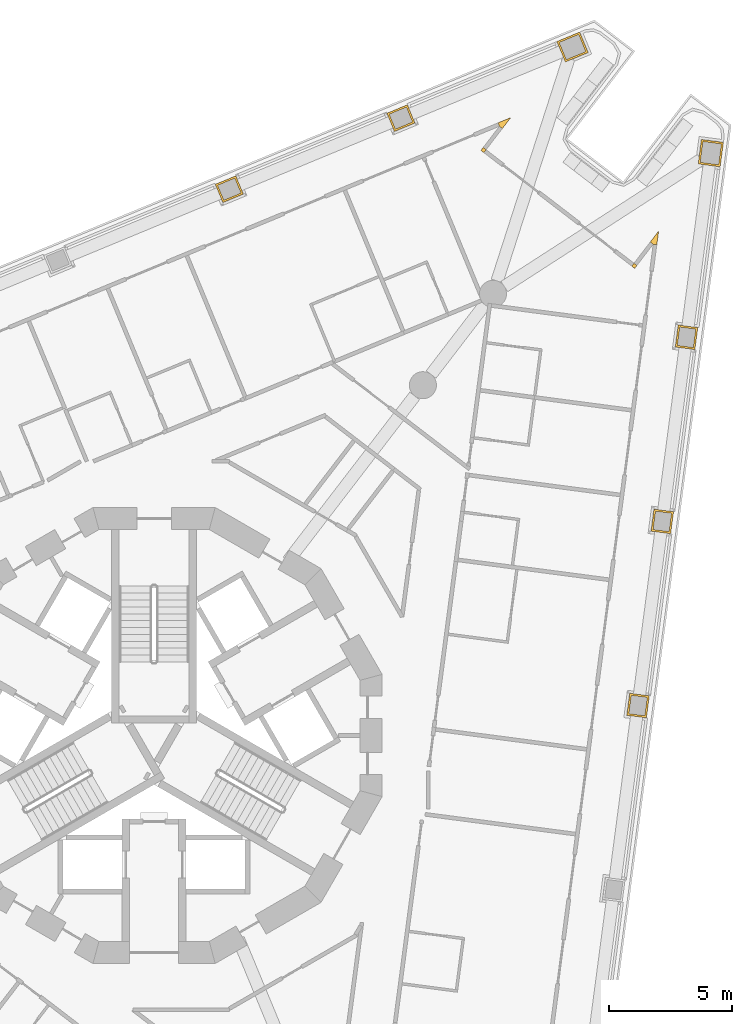
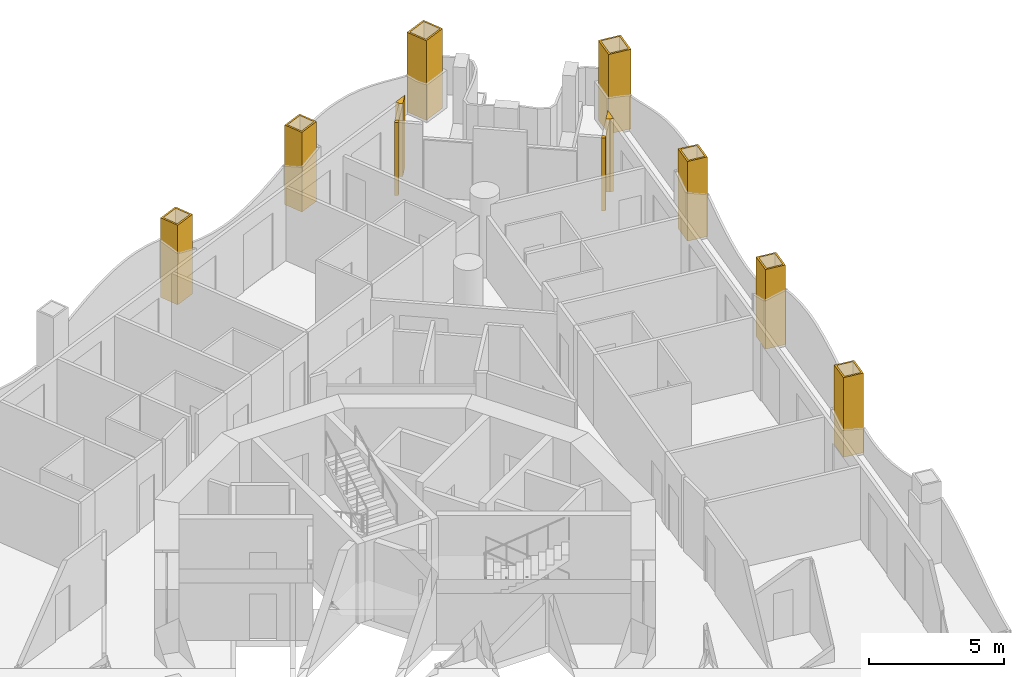
# One storey, part 16 of 17: 11 coverings.
"""IFC4 building model written with IfcOpenShell, lengths in metres."""

import ifcopenshell
import ifcopenshell.guid

model = None  # the IFC model being written
_history = None  # IfcOwnerHistory: only IFC2X3 demands one
_inside = {}  # id of a spatial element -> (the spatial element, [elements in it])
_under = {}  # id of a project, library or spatial element -> (it, [spatial elements below it])
_declared = {}  # id of a project -> (the project, [libraries it declares])
_typed = {}  # id of a type object -> (the type object, [elements of that type])
_made_of = {}  # id of a material, layer set ... -> (it, [elements and type objects made of it])


def new_model(schema):
    """Start an empty IFC model of exactly this schema.

    Asked for "IFC4X3", IfcOpenShell would pick the latest addendum, in which some entities
    have other attributes; the version numbers below select the first issue.
    IFC2X3 requires an IfcOwnerHistory on every rooted entity: one is made here for all.
    """
    global model, _history
    if schema == "IFC4X3":
        model = ifcopenshell.file(schema_version=(4, 3, 0, 0))
    else:
        model = ifcopenshell.file(schema=schema)
    _inside.clear()
    _under.clear()
    _declared.clear()
    _typed.clear()
    _made_of.clear()
    _history = None
    if model.schema == "IFC2X3":
        org = make("IfcOrganization", Name="unknown")
        user = make(
            "IfcPersonAndOrganization",
            ThePerson=make("IfcPerson", FamilyName="unknown"),
            TheOrganization=org,
        )
        app = make(
            "IfcApplication",
            ApplicationDeveloper=org,
            Version="unknown",
            ApplicationFullName="unknown",
            ApplicationIdentifier="unknown",
        )
        _history = make(
            "IfcOwnerHistory",
            OwningUser=user,
            OwningApplication=app,
            ChangeAction="ADDED",
            CreationDate=0,
        )
    return model


def make(cls, **values):
    """One entity of the class cls with the attributes given. An attribute that is None is left unset."""
    return model.create_entity(
        cls, **{name: value for name, value in values.items() if value is not None}
    )


def rooted(cls, **values):
    """An entity with a GlobalId (a new one), such as an element, a storey or a relation."""
    return make(cls, GlobalId=ifcopenshell.guid.new(), OwnerHistory=_history, **values)


def si_unit(unit_type, name, prefix=None):
    """IfcSIUnit, for example si_unit("LENGTHUNIT", "METRE", prefix="MILLI")."""
    return make("IfcSIUnit", UnitType=unit_type, Prefix=prefix, Name=name)


def assignment(units):
    """IfcUnitAssignment: the units of a project."""
    return None if units is None else make("IfcUnitAssignment", Units=units)


def point(xyz):
    """IfcCartesianPoint."""
    return None if xyz is None else make("IfcCartesianPoint", Coordinates=xyz)


def direction(xyz):
    """IfcDirection."""
    return None if xyz is None else make("IfcDirection", DirectionRatios=xyz)


def frame(location, z_axis=None, x_axis=None):
    """IfcAxis2Placement3D, a coordinate frame: its origin and axes. An axis left out is left unset."""
    return make(
        "IfcAxis2Placement3D",
        Location=point(location),
        Axis=direction(z_axis),
        RefDirection=direction(x_axis),
    )


def origin():
    """The frame at (0, 0, 0) with its axes left unset."""
    return frame((0.0, 0.0, 0.0))


def place(relative_to, where):
    """IfcLocalPlacement: puts the frame where relative to a parent placement (None: the world)."""
    return make(
        "IfcLocalPlacement", PlacementRelTo=relative_to, RelativePlacement=where
    )


def context(
    kind, dimensions, precision=None, world=None, true_north=None, identifier=None
):
    """IfcGeometricRepresentationContext, for example the 3D "Model" context."""
    return make(
        "IfcGeometricRepresentationContext",
        ContextIdentifier=identifier,
        ContextType=kind,
        CoordinateSpaceDimension=dimensions,
        Precision=precision,
        WorldCoordinateSystem=world,
        TrueNorth=true_north,
    )


def subcontext(parent, identifier, kind, view, scale=None):
    """IfcGeometricRepresentationSubContext, for example "Body" below "Model"."""
    return make(
        "IfcGeometricRepresentationSubContext",
        ContextIdentifier=identifier,
        ContextType=kind,
        ParentContext=parent,
        TargetScale=scale,
        TargetView=view,
    )


def project(units=None, contexts=None):
    """IfcProject with its units and contexts."""
    return rooted(
        "IfcProject",
        Name="project",
        RepresentationContexts=contexts,
        UnitsInContext=assignment(units),
    )


def spatial(cls, under=None, at=None, **own):
    """A site, building, storey or space (cls), placed at a placement, below another one or the project."""
    s = rooted(cls, ObjectPlacement=at, **own)
    if under is not None:
        _under.setdefault(under.id(), (under, []))[1].append(s)
    return s


def polyline(points):
    """IfcPolyline through the points."""
    return make("IfcPolyline", Points=[point(p) for p in points])


def outline(outer, holes=None, kind="AREA"):
    """IfcArbitraryClosedProfileDef: a profile drawn as a closed curve; with holes, ...WithVoids."""
    if holes is None:
        return make("IfcArbitraryClosedProfileDef", ProfileType=kind, OuterCurve=outer)
    return make(
        "IfcArbitraryProfileDefWithVoids",
        ProfileType=kind,
        OuterCurve=outer,
        InnerCurves=holes,
    )


def extrude(swept, where, along, depth):
    """IfcExtrudedAreaSolid: the profile swept, set in the frame where, extruded along a direction by depth."""
    return make(
        "IfcExtrudedAreaSolid",
        SweptArea=swept,
        Position=where,
        ExtrudedDirection=direction(along),
        Depth=depth,
    )


def shape(context_of_items, identifier, shape_type, items):
    """IfcShapeRepresentation: the items that make up one representation, for example the "Body"."""
    return make(
        "IfcShapeRepresentation",
        ContextOfItems=context_of_items,
        RepresentationIdentifier=identifier,
        RepresentationType=shape_type,
        Items=items,
    )


def material(Name=None, Category=None):
    """IfcMaterial."""
    return make("IfcMaterial", Name=Name, Category=Category)


def layer(
    of_material, thickness, ventilated=None, Name=None, Category=None, Priority=None
):
    """IfcMaterialLayer: one layer of a wall or slab, of a material (None: an air gap)."""
    return make(
        "IfcMaterialLayer",
        Material=of_material,
        LayerThickness=thickness,
        IsVentilated=ventilated,
        Name=Name,
        Category=Category,
        Priority=Priority,
    )


def layer_set(layers, Name=None):
    """IfcMaterialLayerSet."""
    return make("IfcMaterialLayerSet", MaterialLayers=layers, LayerSetName=Name)


def made_of(thing, what):
    """Note that an element or type object is made of a material, layer set ...; save() writes the relation."""
    if what is not None:
        _made_of.setdefault(what.id(), (what, []))[1].append(thing)
    return thing


def type_object(cls, material=None, **own):
    """A type object (cls), such as IfcWallType, which elements share."""
    return made_of(rooted(cls, **own), material)


def element(
    cls,
    number,
    at=None,
    inside=None,
    cuts=None,
    type_object=None,
    material=None,
    context=None,
    identifier="Body",
    shape_type=None,
    held_by="IfcProductDefinitionShape",
    body=None,
    shapes=None,
    **own,
):
    """One element of the class cls, such as IfcWall. Its Tag is "e" and its number.

    at: its placement. inside: the storey or other place that contains it. cuts: it is an
    opening in that element (IfcRelVoidsElement). A single representation is given by context,
    identifier, shape_type and body (its items); several are given by shapes. held_by: the class
    of the entity that holds the representations. save() writes the other relations.
    """
    e = rooted(cls, Tag="e%d" % number, ObjectPlacement=at, **own)
    if body is not None:
        shapes = [shape(context, identifier, shape_type, body)]
    if shapes is not None:
        e.Representation = make(held_by, Representations=shapes)
    if inside is not None:
        _inside.setdefault(inside.id(), (inside, []))[1].append(e)
    if cuts is not None:
        rooted(
            "IfcRelVoidsElement", RelatingBuildingElement=cuts, RelatedOpeningElement=e
        )
    if type_object is not None:
        _typed.setdefault(type_object.id(), (type_object, []))[1].append(e)
    return made_of(e, material)


def aggregate(whole, parts):
    """IfcRelAggregates: a whole, such as a stair, and the parts it consists of."""
    return rooted("IfcRelAggregates", RelatingObject=whole, RelatedObjects=parts)


def save(model, path):
    """Write the relations noted so far, then the file.

    IfcRelAggregates (storeys below a building ...), IfcRelContainedInSpatialStructure (elements
    in a storey), IfcRelDefinesByType, IfcRelAssociatesMaterial and IfcRelDeclares: one each for
    every whole, place, type object, material and project.
    """
    for whole, parts in _under.values():
        aggregate(whole, parts)
    for where, things in _inside.values():
        rooted(
            "IfcRelContainedInSpatialStructure",
            RelatedElements=things,
            RelatingStructure=where,
        )
    for kind, things in _typed.values():
        rooted("IfcRelDefinesByType", RelatedObjects=things, RelatingType=kind)
    for what, things in _made_of.values():
        rooted("IfcRelAssociatesMaterial", RelatedObjects=things, RelatingMaterial=what)
    for by, libraries in _declared.values():
        rooted("IfcRelDeclares", RelatingContext=by, RelatedDefinitions=libraries)
    model.write(path)


model = new_model("IFC4")

# Units and contexts
model_context = context("Model", 3, precision=1e-05, world=origin(), true_north=direction((0.0, 1.0)))
body_context = subcontext(model_context, "Body", "Model", "MODEL_VIEW")
ifc_project = project(units=[si_unit("LENGTHUNIT", "METRE"), si_unit("AREAUNIT", "SQUARE_METRE"), si_unit("VOLUMEUNIT", "CUBIC_METRE"), si_unit("PLANEANGLEUNIT", "RADIAN"), si_unit("MASSUNIT", "GRAM", prefix="KILO")], contexts=[model_context])

# Site, building, storey
site_placement = place(None, origin())
site = spatial("IfcSite", under=ifc_project, at=site_placement, CompositionType="ELEMENT")
building_placement = place(site_placement, origin())
building = spatial("IfcBuilding", under=site, at=building_placement, Name="Trine Commons Tower", CompositionType="ELEMENT")
storey_placement = place(building_placement, frame((0.0, 0.0, 138.60009765625)))
storey = spatial("IfcBuildingStorey", under=building, at=storey_placement, Name="L35", CompositionType="ELEMENT", Elevation=138.60009765625)

# Coverings
ifc_material_1 = material(Name="Aluminium-framed insulated wall panel", Category="aluminium")
ifc_layer_1 = layer(ifc_material_1, 0.14990234375)
ifc_layer_set_1 = layer_set([ifc_layer_1], Name="Aluminium-framed insulated wall panel")
covering_type_1 = type_object("IfcCoveringType", Name="Glazing corner post, aluminium", PredefinedType="CLADDING", material=ifc_layer_set_1)
covering_1_placement = place(storey_placement, origin())
element("IfcCovering", 1, at=covering_1_placement, inside=storey, type_object=covering_type_1, Name="Glazing corner post 4-05", PredefinedType="CLADDING", context=body_context, shape_type="SweptSolid", body=[
    extrude(outline(polyline([(94.04248046875, 87.272705078125), (94.04248046875, 87.272705078125), (94.16162109375, 87.181396484375), (94.50244140625, 87.62548828125), (93.985107421875, 87.411376953125), (94.04248046875, 87.272705078125)])), origin(), (0.0, 0.0, 1.0), 3.2998046875),
])
covering_2_placement = place(storey_placement, origin())
element("IfcCovering", 2, at=covering_2_placement, inside=storey, type_object=covering_type_1, Name="Glazing corner post 4-06", PredefinedType="CLADDING", context=body_context, shape_type="SweptSolid", body=[
    extrude(outline(polyline([(93.4091796875, 86.201171875), (93.50048828125, 86.320068359375), (93.381591796875, 86.411376953125), (93.290283203125, 86.29248046875), (93.4091796875, 86.201171875)])), origin(), (0.0, 0.0, 1.0), 3.2998046875),
])
covering_3_placement = place(storey_placement, origin())
element("IfcCovering", 3, at=covering_3_placement, inside=storey, type_object=covering_type_1, Name="Glazing corner post 4-07", PredefinedType="CLADDING", context=body_context, shape_type="SweptSolid", body=[
    extrude(outline(polyline([(99.4228515625, 81.586669921875), (99.5419921875, 81.495361328125), (99.63330078125, 81.614501953125), (99.514404296875, 81.705810546875), (99.4228515625, 81.586669921875)])), origin(), (0.0, 0.0, 1.0), 3.2998046875),
])
covering_4_placement = place(storey_placement, origin())
element("IfcCovering", 4, at=covering_4_placement, inside=storey, type_object=covering_type_1, Name="Glazing corner post 4-08", PredefinedType="CLADDING", context=body_context, shape_type="SweptSolid", body=[
    extrude(outline(polyline([(100.44287109375, 82.456298828125), (100.51611328125, 83.01123046875), (100.17529296875, 82.567138671875), (100.294189453125, 82.475830078125), (100.44287109375, 82.456298828125)])), origin(), (0.0, 0.0, 1.0), 3.2998046875),
])
ifc_material_2 = material(Name="Limestone, honed", Category="masonry")
ifc_layer_2 = layer(ifc_material_2, 0.074951171875)
ifc_layer_set_2 = layer_set([ifc_layer_2], Name="Limestone, honed")
covering_type_2 = type_object("IfcCoveringType", Name="Limestone column cladding 75", PredefinedType="CLADDING", material=ifc_layer_set_2)
covering_5_placement = place(storey_placement, origin())
element("IfcCovering", 5, at=covering_5_placement, inside=storey, type_object=covering_type_2, Name="Limestone pier cladding 4-14", PredefinedType="CLADDING", context=body_context, shape_type="SweptSolid", body=[
    extrude(outline(polyline([(83.62841796875, 84.517822265625), (83.322265625, 85.2568359375), (82.49072265625, 84.912353515625), (82.796875, 84.17333984375), (83.62841796875, 84.517822265625)]), holes=[polyline([(83.5302734375, 84.558349609375), (83.281494140625, 85.158935546875), (82.588623046875, 84.871826171875), (82.83740234375, 84.271240234375), (83.5302734375, 84.558349609375)])]), origin(), (0.0, 0.0, 1.0), 3.599853515625),
])
covering_6_placement = place(storey_placement, origin())
element("IfcCovering", 6, at=covering_6_placement, inside=storey, type_object=covering_type_2, Name="Limestone pier cladding 4-15", PredefinedType="CLADDING", context=body_context, shape_type="SweptSolid", body=[
    extrude(outline(polyline([(90.60546875, 87.40771484375), (90.29931640625, 88.14697265625), (89.4677734375, 87.802490234375), (89.77392578125, 87.063232421875), (90.60546875, 87.40771484375)]), holes=[polyline([(90.50732421875, 87.4482421875), (90.2587890625, 88.048828125), (89.56591796875, 87.761962890625), (89.814453125, 87.161376953125), (90.50732421875, 87.4482421875)])]), origin(), (0.0, 0.0, 1.0), 3.599853515625),
])
covering_7_placement = place(storey_placement, origin())
element("IfcCovering", 7, at=covering_7_placement, inside=storey, type_object=covering_type_2, Name="Limestone pier cladding 4-16", PredefinedType="CLADDING", context=body_context, shape_type="SweptSolid", body=[
    extrude(outline(polyline([(97.647705078125, 90.270751953125), (97.30322265625, 91.102294921875), (96.37939453125, 90.719482421875), (96.723876953125, 89.887939453125), (97.647705078125, 90.270751953125)]), holes=[polyline([(97.5498046875, 90.311279296875), (97.2626953125, 91.004150390625), (96.477294921875, 90.678955078125), (96.764404296875, 89.986083984375), (97.5498046875, 90.311279296875)])]), origin(), (0.0, 0.0, 1.0), 3.599853515625),
])
covering_8_placement = place(storey_placement, origin())
element("IfcCovering", 8, at=covering_8_placement, inside=storey, type_object=covering_type_2, Name="Limestone pier cladding 4-17", PredefinedType="CLADDING", context=body_context, shape_type="SweptSolid", body=[
    extrude(outline(polyline([(103.149169921875, 86.61669921875), (102.2568359375, 86.734130859375), (102.126220703125, 85.74267578125), (103.0185546875, 85.625), (103.149169921875, 86.61669921875)]), holes=[polyline([(103.06494140625, 86.552001953125), (102.3212890625, 86.64990234375), (102.21044921875, 85.80712890625), (102.9541015625, 85.709228515625), (103.06494140625, 86.552001953125)])]), origin(), (0.0, 0.0, 1.0), 3.599853515625),
])
covering_9_placement = place(storey_placement, origin())
element("IfcCovering", 9, at=covering_9_placement, inside=storey, type_object=covering_type_2, Name="Limestone pier cladding 4-18", PredefinedType="CLADDING", context=body_context, shape_type="SweptSolid", body=[
    extrude(outline(polyline([(102.107421875, 79.086181640625), (101.314208984375, 79.190673828125), (101.19677734375, 78.29833984375), (101.98974609375, 78.19384765625), (102.107421875, 79.086181640625)]), holes=[polyline([(102.023193359375, 79.021484375), (101.378662109375, 79.1064453125), (101.28076171875, 78.36279296875), (101.92529296875, 78.278076171875), (102.023193359375, 79.021484375)])]), origin(), (0.0, 0.0, 1.0), 3.599853515625),
])
covering_10_placement = place(storey_placement, origin())
element("IfcCovering", 10, at=covering_10_placement, inside=storey, type_object=covering_type_2, Name="Limestone pier cladding 4-19", PredefinedType="CLADDING", context=body_context, shape_type="SweptSolid", body=[
    extrude(outline(polyline([(101.12158203125, 71.598876953125), (100.328369140625, 71.703369140625), (100.2109375, 70.81103515625), (101.00390625, 70.70654296875), (101.12158203125, 71.598876953125)]), holes=[polyline([(101.037353515625, 71.5341796875), (100.392822265625, 71.619140625), (100.294921875, 70.87548828125), (100.939453125, 70.790771484375), (101.037353515625, 71.5341796875)])]), origin(), (0.0, 0.0, 1.0), 3.599853515625),
])
covering_11_placement = place(storey_placement, origin())
element("IfcCovering", 11, at=covering_11_placement, inside=storey, type_object=covering_type_2, Name="Limestone pier cladding 4-20", PredefinedType="CLADDING", context=body_context, shape_type="SweptSolid", body=[
    extrude(outline(polyline([(100.1357421875, 64.111572265625), (99.3427734375, 64.216064453125), (99.22509765625, 63.32373046875), (100.018310546875, 63.21923828125), (100.1357421875, 64.111572265625)]), holes=[polyline([(100.0517578125, 64.047119140625), (99.4072265625, 64.1318359375), (99.309326171875, 63.38818359375), (99.953857421875, 63.303466796875), (100.0517578125, 64.047119140625)])]), origin(), (0.0, 0.0, 1.0), 3.599853515625),
])

save(model, "model.ifc")
